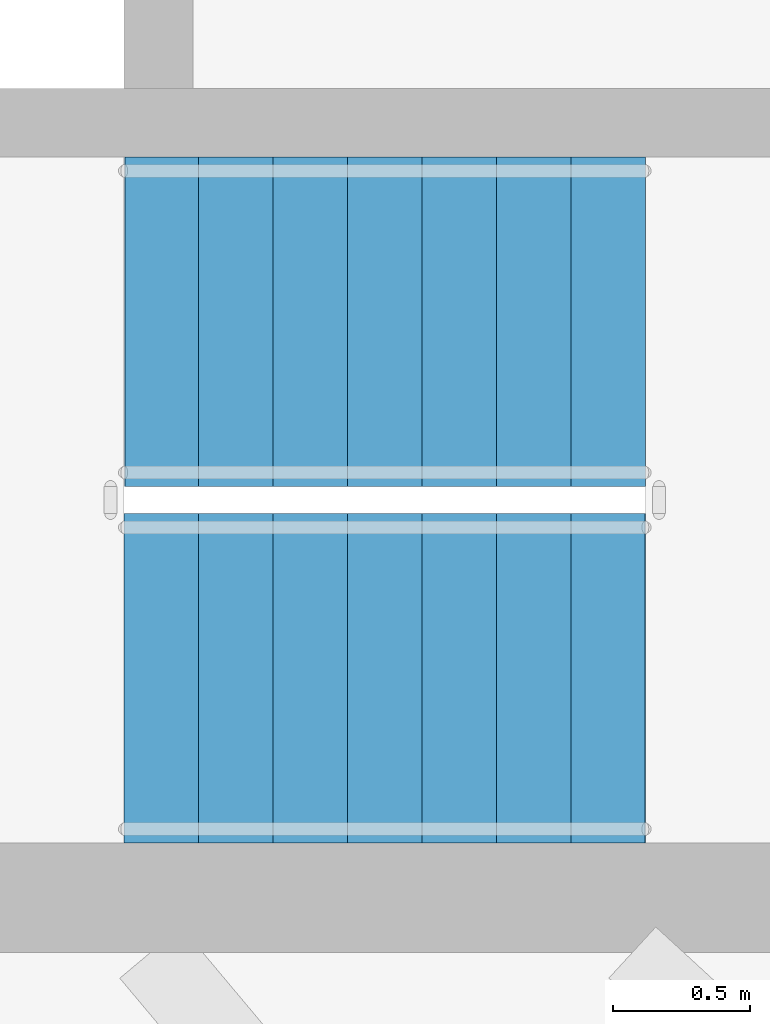
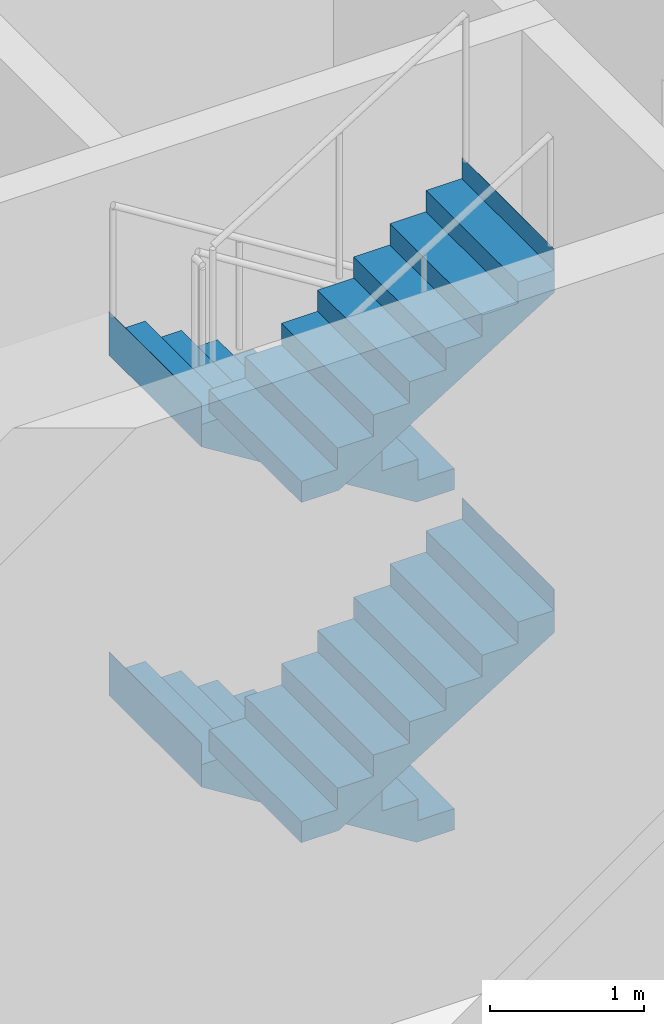
# One storey, part 10 of 16: 4 stair flights, 1 element without a shape of its own.
"""IFC4 building model written with IfcOpenShell, lengths in metres."""

from ifc_helpers import new_model, si_unit, direction, frame, origin, place, context, subcontext, project, spatial, triangles, material, type_object, element, aggregate, save


model = new_model("IFC4")

# Units and contexts
model_context = context("Model", 3, precision=1e-05, world=origin(), true_north=direction((0.0, 1.0)))
body_context = subcontext(model_context, "Body", "Model", "MODEL_VIEW")
ifc_project = project(units=[si_unit("LENGTHUNIT", "METRE"), si_unit("AREAUNIT", "SQUARE_METRE"), si_unit("VOLUMEUNIT", "CUBIC_METRE"), si_unit("PLANEANGLEUNIT", "RADIAN"), si_unit("MASSUNIT", "GRAM", prefix="KILO")], contexts=[model_context])

# Site, building, storey
site_placement = place(None, origin())
site = spatial("IfcSite", under=ifc_project, at=site_placement, CompositionType="ELEMENT")
building_placement = place(site_placement, origin())
building = spatial("IfcBuilding", under=site, at=building_placement, Name="Sahrelin Media Tower", CompositionType="ELEMENT")
storey_placement = place(building_placement, frame((0.0, 0.0, 324.39990234375)))
storey = spatial("IfcBuildingStorey", under=building, at=storey_placement, Name="L72", CompositionType="ELEMENT", Elevation=324.39990234375)

# Stair, stair flights
ifc_material = material(Name="Concrete C40/50", Category="concrete")
stair_type = type_object("IfcStairType", Name="Exit stair 1200", PredefinedType="HALF_TURN_STAIR", material=ifc_material)
stair_placement = place(storey_placement, origin())
stair = element("IfcStair", 1, at=stair_placement, inside=storey, type_object=stair_type, Name="L72 Exit stair ST2", PredefinedType="HALF_TURN_STAIR")
stair_flight_type = type_object("IfcStairFlightType", Name="Stair flight 1200", PredefinedType="STRAIGHT", material=ifc_material)
stair_flight_1_placement = place(storey_placement, frame((7.675048828125, -4.699951171875, 0.0), z_axis=(0.0, 0.0, 1.0), x_axis=(-1.0, 0.0, 0.0)))
stair_flight_1 = element("IfcStairFlight", 2, at=stair_flight_1_placement, type_object=stair_flight_type, Name="ST2 flight 1", NumberOfRisers=8, NumberOfTreads=7, PredefinedType="STRAIGHT", RiserHeight=0.16875, TreadLength=0.271428571, context=body_context, shape_type="Tessellation", body=[
    triangles([(0.283935546875, 0.60009765625, 0.0), (0.283935546875, 0.300048828125, 0.0), (0.283935546875, 0.0, 0.0), (0.283935546875, -0.300048828125, 0.0), (0.283935546875, -0.60009765625, 0.0), (1.89990234375, 0.60009765625, 1.004638671875), (1.89990234375, 0.300048828125, 1.004638671875), (1.89990234375, 0.0, 1.004638671875), (1.89990234375, -0.300048828125, 1.004638671875), (1.89990234375, -0.60009765625, 1.004638671875), (1.89990234375, 0.60009765625, 1.35009765625), (1.89990234375, 0.300048828125, 1.35009765625), (1.89990234375, 0.0, 1.35009765625), (1.89990234375, -0.300048828125, 1.35009765625), (1.89990234375, -0.60009765625, 1.35009765625), (1.89794921875, 0.60009765625, 1.35009765625), (1.89794921875, 0.300048828125, 1.35009765625), (1.89794921875, 0.0, 1.35009765625), (1.89794921875, -0.300048828125, 1.35009765625), (1.89794921875, -0.60009765625, 1.35009765625), (1.89794921875, 0.60009765625, 1.18115234375), (1.89794921875, 0.300048828125, 1.18115234375), (1.89794921875, 0.0, 1.18115234375), (1.89794921875, -0.300048828125, 1.18115234375), (1.89794921875, -0.60009765625, 1.18115234375), (1.628662109375, 0.60009765625, 1.18115234375), (1.628662109375, 0.300048828125, 1.18115234375), (1.628662109375, 0.0, 1.18115234375), (1.628662109375, -0.300048828125, 1.18115234375), (1.628662109375, -0.60009765625, 1.18115234375), (1.628662109375, 0.60009765625, 1.012451171875), (1.628662109375, 0.300048828125, 1.012451171875), (1.628662109375, 0.0, 1.012451171875), (1.628662109375, -0.300048828125, 1.012451171875), (1.628662109375, -0.60009765625, 1.012451171875), (1.357177734375, 0.60009765625, 1.012451171875), (1.357177734375, 0.300048828125, 1.012451171875), (1.357177734375, 0.0, 1.012451171875), (1.357177734375, -0.300048828125, 1.012451171875), (1.357177734375, -0.60009765625, 1.012451171875), (1.357177734375, 0.60009765625, 0.84375), (1.357177734375, 0.300048828125, 0.84375), (1.357177734375, 0.0, 0.84375), (1.357177734375, -0.300048828125, 0.84375), (1.357177734375, -0.60009765625, 0.84375), (1.085693359375, 0.60009765625, 0.84375), (1.085693359375, 0.300048828125, 0.84375), (1.085693359375, 0.0, 0.84375), (1.085693359375, -0.300048828125, 0.84375), (1.085693359375, -0.60009765625, 0.84375), (1.085693359375, 0.60009765625, 0.675048828125), (1.085693359375, 0.300048828125, 0.675048828125), (1.085693359375, 0.0, 0.675048828125), (1.085693359375, -0.300048828125, 0.675048828125), (1.085693359375, -0.60009765625, 0.675048828125), (0.814208984375, 0.60009765625, 0.675048828125), (0.814208984375, 0.300048828125, 0.675048828125), (0.814208984375, 0.0, 0.675048828125), (0.814208984375, -0.300048828125, 0.675048828125), (0.814208984375, -0.60009765625, 0.675048828125), (0.814208984375, 0.60009765625, 0.50634765625), (0.814208984375, 0.300048828125, 0.50634765625), (0.814208984375, 0.0, 0.50634765625), (0.814208984375, -0.300048828125, 0.50634765625), (0.814208984375, -0.60009765625, 0.50634765625), (0.54296875, 0.60009765625, 0.50634765625), (0.54296875, 0.300048828125, 0.50634765625), (0.54296875, 0.0, 0.50634765625), (0.54296875, -0.300048828125, 0.50634765625), (0.54296875, -0.60009765625, 0.50634765625), (0.54296875, 0.60009765625, 0.33740234375), (0.54296875, 0.300048828125, 0.33740234375), (0.54296875, 0.0, 0.33740234375), (0.54296875, -0.300048828125, 0.33740234375), (0.54296875, -0.60009765625, 0.33740234375), (0.271484375, 0.60009765625, 0.33740234375), (0.271484375, 0.300048828125, 0.33740234375), (0.271484375, 0.0, 0.33740234375), (0.271484375, -0.300048828125, 0.33740234375), (0.271484375, -0.60009765625, 0.33740234375), (0.271484375, 0.60009765625, 0.168701171875), (0.271484375, 0.300048828125, 0.168701171875), (0.271484375, 0.0, 0.168701171875), (0.271484375, -0.300048828125, 0.168701171875), (0.271484375, -0.60009765625, 0.168701171875), (0.0, 0.60009765625, 0.168701171875), (0.0, 0.300048828125, 0.168701171875), (0.0, 0.0, 0.168701171875), (0.0, -0.300048828125, 0.168701171875), (0.0, -0.60009765625, 0.168701171875), (0.0, 0.60009765625, 0.0), (0.0, 0.300048828125, 0.0), (0.0, 0.0, 0.0), (0.0, -0.300048828125, 0.0), (0.0, -0.60009765625, 0.0)], [[1, 6, 7], [1, 7, 2], [2, 7, 8], [2, 8, 3], [3, 8, 9], [3, 9, 4], [4, 9, 10], [4, 10, 5], [6, 11, 12], [6, 12, 7], [7, 12, 13], [7, 13, 8], [8, 13, 14], [8, 14, 9], [9, 14, 15], [9, 15, 10], [11, 16, 17], [11, 17, 12], [12, 17, 18], [12, 18, 13], [13, 18, 19], [13, 19, 14], [14, 19, 20], [14, 20, 15], [16, 21, 22], [16, 22, 17], [17, 22, 23], [17, 23, 18], [18, 23, 24], [18, 24, 19], [19, 24, 25], [19, 25, 20], [21, 26, 27], [21, 27, 22], [22, 27, 28], [22, 28, 23], [23, 28, 29], [23, 29, 24], [24, 29, 30], [24, 30, 25], [26, 31, 32], [26, 32, 27], [27, 32, 33], [27, 33, 28], [28, 33, 34], [28, 34, 29], [29, 34, 35], [29, 35, 30], [31, 36, 37], [31, 37, 32], [32, 37, 38], [32, 38, 33], [33, 38, 39], [33, 39, 34], [34, 39, 40], [34, 40, 35], [36, 41, 42], [36, 42, 37], [37, 42, 43], [37, 43, 38], [38, 43, 44], [38, 44, 39], [39, 44, 45], [39, 45, 40], [41, 46, 47], [41, 47, 42], [42, 47, 48], [42, 48, 43], [43, 48, 49], [43, 49, 44], [44, 49, 50], [44, 50, 45], [46, 51, 52], [46, 52, 47], [47, 52, 53], [47, 53, 48], [48, 53, 54], [48, 54, 49], [49, 54, 55], [49, 55, 50], [51, 56, 57], [51, 57, 52], [52, 57, 58], [52, 58, 53], [53, 58, 59], [53, 59, 54], [54, 59, 60], [54, 60, 55], [56, 61, 62], [56, 62, 57], [57, 62, 63], [57, 63, 58], [58, 63, 64], [58, 64, 59], [59, 64, 65], [59, 65, 60], [61, 66, 67], [61, 67, 62], [62, 67, 68], [62, 68, 63], [63, 68, 69], [63, 69, 64], [64, 69, 70], [64, 70, 65], [66, 71, 72], [66, 72, 67], [67, 72, 73], [67, 73, 68], [68, 73, 74], [68, 74, 69], [69, 74, 75], [69, 75, 70], [71, 76, 77], [71, 77, 72], [72, 77, 78], [72, 78, 73], [73, 78, 79], [73, 79, 74], [74, 79, 80], [74, 80, 75], [76, 81, 82], [76, 82, 77], [77, 82, 83], [77, 83, 78], [78, 83, 84], [78, 84, 79], [79, 84, 85], [79, 85, 80], [81, 86, 87], [81, 87, 82], [82, 87, 88], [82, 88, 83], [83, 88, 89], [83, 89, 84], [84, 89, 90], [84, 90, 85], [86, 91, 92], [86, 92, 87], [87, 92, 93], [87, 93, 88], [88, 93, 94], [88, 94, 89], [89, 94, 95], [89, 95, 90], [91, 1, 2], [91, 2, 92], [92, 2, 3], [92, 3, 93], [93, 3, 4], [93, 4, 94], [94, 4, 5], [94, 5, 95], [85, 90, 95], [81, 91, 86], [85, 75, 80], [81, 76, 71], [75, 65, 70], [71, 66, 61], [65, 55, 60], [61, 56, 51], [55, 45, 50], [51, 46, 41], [45, 35, 40], [41, 36, 31], [35, 25, 30], [31, 26, 21], [25, 15, 20], [21, 16, 11], [95, 5, 85], [91, 81, 1], [5, 55, 65], [1, 61, 51], [25, 10, 15], [21, 11, 6], [75, 85, 5], [71, 1, 81], [10, 45, 55], [6, 51, 41], [35, 10, 25], [31, 21, 6], [65, 75, 5], [61, 1, 71], [45, 10, 35], [41, 31, 6], [5, 10, 55], [1, 51, 6]], closed=True),
])
stair_flight_2_placement = place(storey_placement, frame((5.77490234375, -6.0, 1.35009765625), z_axis=(0.0, 0.0, 1.0), x_axis=(1.0, 0.0, 0.0)))
stair_flight_2 = element("IfcStairFlight", 3, at=stair_flight_2_placement, type_object=stair_flight_type, Name="ST2 flight 2", NumberOfRisers=8, NumberOfTreads=7, PredefinedType="STRAIGHT", RiserHeight=0.16875, TreadLength=0.271428571, context=body_context, shape_type="Tessellation", body=[
    triangles([(0.283935546875, 0.60009765625, 0.0), (0.283935546875, 0.300048828125, 0.0), (0.283935546875, 0.0, 0.0), (0.283935546875, -0.300048828125, 0.0), (0.283935546875, -0.60009765625, 0.0), (1.89990234375, 0.60009765625, 1.004638671875), (1.89990234375, 0.300048828125, 1.004638671875), (1.89990234375, 0.0, 1.004638671875), (1.89990234375, -0.300048828125, 1.004638671875), (1.89990234375, -0.60009765625, 1.004638671875), (1.89990234375, 0.60009765625, 1.35009765625), (1.89990234375, 0.300048828125, 1.35009765625), (1.89990234375, 0.0, 1.35009765625), (1.89990234375, -0.300048828125, 1.35009765625), (1.89990234375, -0.60009765625, 1.35009765625), (1.89794921875, 0.60009765625, 1.35009765625), (1.89794921875, 0.300048828125, 1.35009765625), (1.89794921875, 0.0, 1.35009765625), (1.89794921875, -0.300048828125, 1.35009765625), (1.89794921875, -0.60009765625, 1.35009765625), (1.89794921875, 0.60009765625, 1.18115234375), (1.89794921875, 0.300048828125, 1.18115234375), (1.89794921875, 0.0, 1.18115234375), (1.89794921875, -0.300048828125, 1.18115234375), (1.89794921875, -0.60009765625, 1.18115234375), (1.628662109375, 0.60009765625, 1.18115234375), (1.628662109375, 0.300048828125, 1.18115234375), (1.628662109375, 0.0, 1.18115234375), (1.628662109375, -0.300048828125, 1.18115234375), (1.628662109375, -0.60009765625, 1.18115234375), (1.628662109375, 0.60009765625, 1.012451171875), (1.628662109375, 0.300048828125, 1.012451171875), (1.628662109375, 0.0, 1.012451171875), (1.628662109375, -0.300048828125, 1.012451171875), (1.628662109375, -0.60009765625, 1.012451171875), (1.357177734375, 0.60009765625, 1.012451171875), (1.357177734375, 0.300048828125, 1.012451171875), (1.357177734375, 0.0, 1.012451171875), (1.357177734375, -0.300048828125, 1.012451171875), (1.357177734375, -0.60009765625, 1.012451171875), (1.357177734375, 0.60009765625, 0.84375), (1.357177734375, 0.300048828125, 0.84375), (1.357177734375, 0.0, 0.84375), (1.357177734375, -0.300048828125, 0.84375), (1.357177734375, -0.60009765625, 0.84375), (1.085693359375, 0.60009765625, 0.84375), (1.085693359375, 0.300048828125, 0.84375), (1.085693359375, 0.0, 0.84375), (1.085693359375, -0.300048828125, 0.84375), (1.085693359375, -0.60009765625, 0.84375), (1.085693359375, 0.60009765625, 0.675048828125), (1.085693359375, 0.300048828125, 0.675048828125), (1.085693359375, 0.0, 0.675048828125), (1.085693359375, -0.300048828125, 0.675048828125), (1.085693359375, -0.60009765625, 0.675048828125), (0.814208984375, 0.60009765625, 0.675048828125), (0.814208984375, 0.300048828125, 0.675048828125), (0.814208984375, 0.0, 0.675048828125), (0.814208984375, -0.300048828125, 0.675048828125), (0.814208984375, -0.60009765625, 0.675048828125), (0.814208984375, 0.60009765625, 0.50634765625), (0.814208984375, 0.300048828125, 0.50634765625), (0.814208984375, 0.0, 0.50634765625), (0.814208984375, -0.300048828125, 0.50634765625), (0.814208984375, -0.60009765625, 0.50634765625), (0.54296875, 0.60009765625, 0.50634765625), (0.54296875, 0.300048828125, 0.50634765625), (0.54296875, 0.0, 0.50634765625), (0.54296875, -0.300048828125, 0.50634765625), (0.54296875, -0.60009765625, 0.50634765625), (0.54296875, 0.60009765625, 0.33740234375), (0.54296875, 0.300048828125, 0.33740234375), (0.54296875, 0.0, 0.33740234375), (0.54296875, -0.300048828125, 0.33740234375), (0.54296875, -0.60009765625, 0.33740234375), (0.271484375, 0.60009765625, 0.33740234375), (0.271484375, 0.300048828125, 0.33740234375), (0.271484375, 0.0, 0.33740234375), (0.271484375, -0.300048828125, 0.33740234375), (0.271484375, -0.60009765625, 0.33740234375), (0.271484375, 0.60009765625, 0.168701171875), (0.271484375, 0.300048828125, 0.168701171875), (0.271484375, 0.0, 0.168701171875), (0.271484375, -0.300048828125, 0.168701171875), (0.271484375, -0.60009765625, 0.168701171875), (0.0, 0.60009765625, 0.168701171875), (0.0, 0.300048828125, 0.168701171875), (0.0, 0.0, 0.168701171875), (0.0, -0.300048828125, 0.168701171875), (0.0, -0.60009765625, 0.168701171875), (0.0, 0.60009765625, 0.0), (0.0, 0.300048828125, 0.0), (0.0, 0.0, 0.0), (0.0, -0.300048828125, 0.0), (0.0, -0.60009765625, 0.0)], [[1, 6, 7], [1, 7, 2], [2, 7, 8], [2, 8, 3], [3, 8, 9], [3, 9, 4], [4, 9, 10], [4, 10, 5], [6, 11, 12], [6, 12, 7], [7, 12, 13], [7, 13, 8], [8, 13, 14], [8, 14, 9], [9, 14, 15], [9, 15, 10], [11, 16, 17], [11, 17, 12], [12, 17, 18], [12, 18, 13], [13, 18, 19], [13, 19, 14], [14, 19, 20], [14, 20, 15], [16, 21, 22], [16, 22, 17], [17, 22, 23], [17, 23, 18], [18, 23, 24], [18, 24, 19], [19, 24, 25], [19, 25, 20], [21, 26, 27], [21, 27, 22], [22, 27, 28], [22, 28, 23], [23, 28, 29], [23, 29, 24], [24, 29, 30], [24, 30, 25], [26, 31, 32], [26, 32, 27], [27, 32, 33], [27, 33, 28], [28, 33, 34], [28, 34, 29], [29, 34, 35], [29, 35, 30], [31, 36, 37], [31, 37, 32], [32, 37, 38], [32, 38, 33], [33, 38, 39], [33, 39, 34], [34, 39, 40], [34, 40, 35], [36, 41, 42], [36, 42, 37], [37, 42, 43], [37, 43, 38], [38, 43, 44], [38, 44, 39], [39, 44, 45], [39, 45, 40], [41, 46, 47], [41, 47, 42], [42, 47, 48], [42, 48, 43], [43, 48, 49], [43, 49, 44], [44, 49, 50], [44, 50, 45], [46, 51, 52], [46, 52, 47], [47, 52, 53], [47, 53, 48], [48, 53, 54], [48, 54, 49], [49, 54, 55], [49, 55, 50], [51, 56, 57], [51, 57, 52], [52, 57, 58], [52, 58, 53], [53, 58, 59], [53, 59, 54], [54, 59, 60], [54, 60, 55], [56, 61, 62], [56, 62, 57], [57, 62, 63], [57, 63, 58], [58, 63, 64], [58, 64, 59], [59, 64, 65], [59, 65, 60], [61, 66, 67], [61, 67, 62], [62, 67, 68], [62, 68, 63], [63, 68, 69], [63, 69, 64], [64, 69, 70], [64, 70, 65], [66, 71, 72], [66, 72, 67], [67, 72, 73], [67, 73, 68], [68, 73, 74], [68, 74, 69], [69, 74, 75], [69, 75, 70], [71, 76, 77], [71, 77, 72], [72, 77, 78], [72, 78, 73], [73, 78, 79], [73, 79, 74], [74, 79, 80], [74, 80, 75], [76, 81, 82], [76, 82, 77], [77, 82, 83], [77, 83, 78], [78, 83, 84], [78, 84, 79], [79, 84, 85], [79, 85, 80], [81, 86, 87], [81, 87, 82], [82, 87, 88], [82, 88, 83], [83, 88, 89], [83, 89, 84], [84, 89, 90], [84, 90, 85], [86, 91, 92], [86, 92, 87], [87, 92, 93], [87, 93, 88], [88, 93, 94], [88, 94, 89], [89, 94, 95], [89, 95, 90], [91, 1, 2], [91, 2, 92], [92, 2, 3], [92, 3, 93], [93, 3, 4], [93, 4, 94], [94, 4, 5], [94, 5, 95], [85, 90, 95], [81, 91, 86], [85, 75, 80], [81, 76, 71], [75, 65, 70], [71, 66, 61], [65, 55, 60], [61, 56, 51], [55, 45, 50], [51, 46, 41], [45, 35, 40], [41, 36, 31], [35, 25, 30], [31, 26, 21], [25, 15, 20], [21, 16, 11], [95, 5, 85], [91, 81, 1], [5, 55, 65], [1, 61, 51], [25, 10, 15], [21, 11, 6], [75, 85, 5], [71, 1, 81], [10, 45, 55], [6, 51, 41], [35, 10, 25], [31, 21, 6], [65, 75, 5], [61, 1, 71], [45, 10, 35], [41, 31, 6], [5, 10, 55], [1, 51, 6]], closed=True),
])
stair_flight_3_placement = place(storey_placement, frame((7.675048828125, -4.699951171875, 2.7001953125), z_axis=(0.0, 0.0, 1.0), x_axis=(-1.0, 0.0, 0.0)))
stair_flight_3 = element("IfcStairFlight", 4, at=stair_flight_3_placement, type_object=stair_flight_type, Name="ST2 flight 3", NumberOfRisers=8, NumberOfTreads=7, PredefinedType="STRAIGHT", RiserHeight=0.16875, TreadLength=0.271428571, context=body_context, shape_type="Tessellation", body=[
    triangles([(0.283935546875, 0.60009765625, 0.0), (0.283935546875, 0.300048828125, 0.0), (0.283935546875, 0.0, 0.0), (0.283935546875, -0.300048828125, 0.0), (0.283935546875, -0.60009765625, 0.0), (1.89990234375, 0.60009765625, 1.004638671875), (1.89990234375, 0.300048828125, 1.004638671875), (1.89990234375, 0.0, 1.004638671875), (1.89990234375, -0.300048828125, 1.004638671875), (1.89990234375, -0.60009765625, 1.004638671875), (1.89990234375, 0.60009765625, 1.35009765625), (1.89990234375, 0.300048828125, 1.35009765625), (1.89990234375, 0.0, 1.35009765625), (1.89990234375, -0.300048828125, 1.35009765625), (1.89990234375, -0.60009765625, 1.35009765625), (1.89794921875, 0.60009765625, 1.35009765625), (1.89794921875, 0.300048828125, 1.35009765625), (1.89794921875, 0.0, 1.35009765625), (1.89794921875, -0.300048828125, 1.35009765625), (1.89794921875, -0.60009765625, 1.35009765625), (1.89794921875, 0.60009765625, 1.18115234375), (1.89794921875, 0.300048828125, 1.18115234375), (1.89794921875, 0.0, 1.18115234375), (1.89794921875, -0.300048828125, 1.18115234375), (1.89794921875, -0.60009765625, 1.18115234375), (1.628662109375, 0.60009765625, 1.18115234375), (1.628662109375, 0.300048828125, 1.18115234375), (1.628662109375, 0.0, 1.18115234375), (1.628662109375, -0.300048828125, 1.18115234375), (1.628662109375, -0.60009765625, 1.18115234375), (1.628662109375, 0.60009765625, 1.012451171875), (1.628662109375, 0.300048828125, 1.012451171875), (1.628662109375, 0.0, 1.012451171875), (1.628662109375, -0.300048828125, 1.012451171875), (1.628662109375, -0.60009765625, 1.012451171875), (1.357177734375, 0.60009765625, 1.012451171875), (1.357177734375, 0.300048828125, 1.012451171875), (1.357177734375, 0.0, 1.012451171875), (1.357177734375, -0.300048828125, 1.012451171875), (1.357177734375, -0.60009765625, 1.012451171875), (1.357177734375, 0.60009765625, 0.84375), (1.357177734375, 0.300048828125, 0.84375), (1.357177734375, 0.0, 0.84375), (1.357177734375, -0.300048828125, 0.84375), (1.357177734375, -0.60009765625, 0.84375), (1.085693359375, 0.60009765625, 0.84375), (1.085693359375, 0.300048828125, 0.84375), (1.085693359375, 0.0, 0.84375), (1.085693359375, -0.300048828125, 0.84375), (1.085693359375, -0.60009765625, 0.84375), (1.085693359375, 0.60009765625, 0.675048828125), (1.085693359375, 0.300048828125, 0.675048828125), (1.085693359375, 0.0, 0.675048828125), (1.085693359375, -0.300048828125, 0.675048828125), (1.085693359375, -0.60009765625, 0.675048828125), (0.814208984375, 0.60009765625, 0.675048828125), (0.814208984375, 0.300048828125, 0.675048828125), (0.814208984375, 0.0, 0.675048828125), (0.814208984375, -0.300048828125, 0.675048828125), (0.814208984375, -0.60009765625, 0.675048828125), (0.814208984375, 0.60009765625, 0.50634765625), (0.814208984375, 0.300048828125, 0.50634765625), (0.814208984375, 0.0, 0.50634765625), (0.814208984375, -0.300048828125, 0.50634765625), (0.814208984375, -0.60009765625, 0.50634765625), (0.54296875, 0.60009765625, 0.50634765625), (0.54296875, 0.300048828125, 0.50634765625), (0.54296875, 0.0, 0.50634765625), (0.54296875, -0.300048828125, 0.50634765625), (0.54296875, -0.60009765625, 0.50634765625), (0.54296875, 0.60009765625, 0.33740234375), (0.54296875, 0.300048828125, 0.33740234375), (0.54296875, 0.0, 0.33740234375), (0.54296875, -0.300048828125, 0.33740234375), (0.54296875, -0.60009765625, 0.33740234375), (0.271484375, 0.60009765625, 0.33740234375), (0.271484375, 0.300048828125, 0.33740234375), (0.271484375, 0.0, 0.33740234375), (0.271484375, -0.300048828125, 0.33740234375), (0.271484375, -0.60009765625, 0.33740234375), (0.271484375, 0.60009765625, 0.168701171875), (0.271484375, 0.300048828125, 0.168701171875), (0.271484375, 0.0, 0.168701171875), (0.271484375, -0.300048828125, 0.168701171875), (0.271484375, -0.60009765625, 0.168701171875), (0.0, 0.60009765625, 0.168701171875), (0.0, 0.300048828125, 0.168701171875), (0.0, 0.0, 0.168701171875), (0.0, -0.300048828125, 0.168701171875), (0.0, -0.60009765625, 0.168701171875), (0.0, 0.60009765625, 0.0), (0.0, 0.300048828125, 0.0), (0.0, 0.0, 0.0), (0.0, -0.300048828125, 0.0), (0.0, -0.60009765625, 0.0)], [[1, 6, 7], [1, 7, 2], [2, 7, 8], [2, 8, 3], [3, 8, 9], [3, 9, 4], [4, 9, 10], [4, 10, 5], [6, 11, 12], [6, 12, 7], [7, 12, 13], [7, 13, 8], [8, 13, 14], [8, 14, 9], [9, 14, 15], [9, 15, 10], [11, 16, 17], [11, 17, 12], [12, 17, 18], [12, 18, 13], [13, 18, 19], [13, 19, 14], [14, 19, 20], [14, 20, 15], [16, 21, 22], [16, 22, 17], [17, 22, 23], [17, 23, 18], [18, 23, 24], [18, 24, 19], [19, 24, 25], [19, 25, 20], [21, 26, 27], [21, 27, 22], [22, 27, 28], [22, 28, 23], [23, 28, 29], [23, 29, 24], [24, 29, 30], [24, 30, 25], [26, 31, 32], [26, 32, 27], [27, 32, 33], [27, 33, 28], [28, 33, 34], [28, 34, 29], [29, 34, 35], [29, 35, 30], [31, 36, 37], [31, 37, 32], [32, 37, 38], [32, 38, 33], [33, 38, 39], [33, 39, 34], [34, 39, 40], [34, 40, 35], [36, 41, 42], [36, 42, 37], [37, 42, 43], [37, 43, 38], [38, 43, 44], [38, 44, 39], [39, 44, 45], [39, 45, 40], [41, 46, 47], [41, 47, 42], [42, 47, 48], [42, 48, 43], [43, 48, 49], [43, 49, 44], [44, 49, 50], [44, 50, 45], [46, 51, 52], [46, 52, 47], [47, 52, 53], [47, 53, 48], [48, 53, 54], [48, 54, 49], [49, 54, 55], [49, 55, 50], [51, 56, 57], [51, 57, 52], [52, 57, 58], [52, 58, 53], [53, 58, 59], [53, 59, 54], [54, 59, 60], [54, 60, 55], [56, 61, 62], [56, 62, 57], [57, 62, 63], [57, 63, 58], [58, 63, 64], [58, 64, 59], [59, 64, 65], [59, 65, 60], [61, 66, 67], [61, 67, 62], [62, 67, 68], [62, 68, 63], [63, 68, 69], [63, 69, 64], [64, 69, 70], [64, 70, 65], [66, 71, 72], [66, 72, 67], [67, 72, 73], [67, 73, 68], [68, 73, 74], [68, 74, 69], [69, 74, 75], [69, 75, 70], [71, 76, 77], [71, 77, 72], [72, 77, 78], [72, 78, 73], [73, 78, 79], [73, 79, 74], [74, 79, 80], [74, 80, 75], [76, 81, 82], [76, 82, 77], [77, 82, 83], [77, 83, 78], [78, 83, 84], [78, 84, 79], [79, 84, 85], [79, 85, 80], [81, 86, 87], [81, 87, 82], [82, 87, 88], [82, 88, 83], [83, 88, 89], [83, 89, 84], [84, 89, 90], [84, 90, 85], [86, 91, 92], [86, 92, 87], [87, 92, 93], [87, 93, 88], [88, 93, 94], [88, 94, 89], [89, 94, 95], [89, 95, 90], [91, 1, 2], [91, 2, 92], [92, 2, 3], [92, 3, 93], [93, 3, 4], [93, 4, 94], [94, 4, 5], [94, 5, 95], [85, 90, 95], [81, 91, 86], [85, 75, 80], [81, 76, 71], [75, 65, 70], [71, 66, 61], [65, 55, 60], [61, 56, 51], [55, 45, 50], [51, 46, 41], [45, 35, 40], [41, 36, 31], [35, 25, 30], [31, 26, 21], [25, 15, 20], [21, 16, 11], [95, 5, 85], [91, 81, 1], [5, 55, 65], [1, 61, 51], [25, 10, 15], [21, 11, 6], [75, 85, 5], [71, 1, 81], [10, 45, 55], [6, 51, 41], [35, 10, 25], [31, 21, 6], [65, 75, 5], [61, 1, 71], [45, 10, 35], [41, 31, 6], [5, 10, 55], [1, 51, 6]], closed=True),
])
stair_flight_4_placement = place(storey_placement, frame((5.77490234375, -6.0, 4.050048828125), z_axis=(0.0, 0.0, 1.0), x_axis=(1.0, 0.0, 0.0)))
stair_flight_4 = element("IfcStairFlight", 5, at=stair_flight_4_placement, type_object=stair_flight_type, Name="ST2 flight 4", NumberOfRisers=8, NumberOfTreads=7, PredefinedType="STRAIGHT", RiserHeight=0.16875, TreadLength=0.271428571, context=body_context, shape_type="Tessellation", body=[
    triangles([(0.283935546875, 0.60009765625, 0.0), (0.283935546875, 0.300048828125, 0.0), (0.283935546875, 0.0, 0.0), (0.283935546875, -0.300048828125, 0.0), (0.283935546875, -0.60009765625, 0.0), (1.89990234375, 0.60009765625, 1.004638671875), (1.89990234375, 0.300048828125, 1.004638671875), (1.89990234375, 0.0, 1.004638671875), (1.89990234375, -0.300048828125, 1.004638671875), (1.89990234375, -0.60009765625, 1.004638671875), (1.89990234375, 0.60009765625, 1.35009765625), (1.89990234375, 0.300048828125, 1.35009765625), (1.89990234375, 0.0, 1.35009765625), (1.89990234375, -0.300048828125, 1.35009765625), (1.89990234375, -0.60009765625, 1.35009765625), (1.89794921875, 0.60009765625, 1.35009765625), (1.89794921875, 0.300048828125, 1.35009765625), (1.89794921875, 0.0, 1.35009765625), (1.89794921875, -0.300048828125, 1.35009765625), (1.89794921875, -0.60009765625, 1.35009765625), (1.89794921875, 0.60009765625, 1.18115234375), (1.89794921875, 0.300048828125, 1.18115234375), (1.89794921875, 0.0, 1.18115234375), (1.89794921875, -0.300048828125, 1.18115234375), (1.89794921875, -0.60009765625, 1.18115234375), (1.628662109375, 0.60009765625, 1.18115234375), (1.628662109375, 0.300048828125, 1.18115234375), (1.628662109375, 0.0, 1.18115234375), (1.628662109375, -0.300048828125, 1.18115234375), (1.628662109375, -0.60009765625, 1.18115234375), (1.628662109375, 0.60009765625, 1.012451171875), (1.628662109375, 0.300048828125, 1.012451171875), (1.628662109375, 0.0, 1.012451171875), (1.628662109375, -0.300048828125, 1.012451171875), (1.628662109375, -0.60009765625, 1.012451171875), (1.357177734375, 0.60009765625, 1.012451171875), (1.357177734375, 0.300048828125, 1.012451171875), (1.357177734375, 0.0, 1.012451171875), (1.357177734375, -0.300048828125, 1.012451171875), (1.357177734375, -0.60009765625, 1.012451171875), (1.357177734375, 0.60009765625, 0.84375), (1.357177734375, 0.300048828125, 0.84375), (1.357177734375, 0.0, 0.84375), (1.357177734375, -0.300048828125, 0.84375), (1.357177734375, -0.60009765625, 0.84375), (1.085693359375, 0.60009765625, 0.84375), (1.085693359375, 0.300048828125, 0.84375), (1.085693359375, 0.0, 0.84375), (1.085693359375, -0.300048828125, 0.84375), (1.085693359375, -0.60009765625, 0.84375), (1.085693359375, 0.60009765625, 0.675048828125), (1.085693359375, 0.300048828125, 0.675048828125), (1.085693359375, 0.0, 0.675048828125), (1.085693359375, -0.300048828125, 0.675048828125), (1.085693359375, -0.60009765625, 0.675048828125), (0.814208984375, 0.60009765625, 0.675048828125), (0.814208984375, 0.300048828125, 0.675048828125), (0.814208984375, 0.0, 0.675048828125), (0.814208984375, -0.300048828125, 0.675048828125), (0.814208984375, -0.60009765625, 0.675048828125), (0.814208984375, 0.60009765625, 0.50634765625), (0.814208984375, 0.300048828125, 0.50634765625), (0.814208984375, 0.0, 0.50634765625), (0.814208984375, -0.300048828125, 0.50634765625), (0.814208984375, -0.60009765625, 0.50634765625), (0.54296875, 0.60009765625, 0.50634765625), (0.54296875, 0.300048828125, 0.50634765625), (0.54296875, 0.0, 0.50634765625), (0.54296875, -0.300048828125, 0.50634765625), (0.54296875, -0.60009765625, 0.50634765625), (0.54296875, 0.60009765625, 0.33740234375), (0.54296875, 0.300048828125, 0.33740234375), (0.54296875, 0.0, 0.33740234375), (0.54296875, -0.300048828125, 0.33740234375), (0.54296875, -0.60009765625, 0.33740234375), (0.271484375, 0.60009765625, 0.33740234375), (0.271484375, 0.300048828125, 0.33740234375), (0.271484375, 0.0, 0.33740234375), (0.271484375, -0.300048828125, 0.33740234375), (0.271484375, -0.60009765625, 0.33740234375), (0.271484375, 0.60009765625, 0.168701171875), (0.271484375, 0.300048828125, 0.168701171875), (0.271484375, 0.0, 0.168701171875), (0.271484375, -0.300048828125, 0.168701171875), (0.271484375, -0.60009765625, 0.168701171875), (0.0, 0.60009765625, 0.168701171875), (0.0, 0.300048828125, 0.168701171875), (0.0, 0.0, 0.168701171875), (0.0, -0.300048828125, 0.168701171875), (0.0, -0.60009765625, 0.168701171875), (0.0, 0.60009765625, 0.0), (0.0, 0.300048828125, 0.0), (0.0, 0.0, 0.0), (0.0, -0.300048828125, 0.0), (0.0, -0.60009765625, 0.0)], [[1, 6, 7], [1, 7, 2], [2, 7, 8], [2, 8, 3], [3, 8, 9], [3, 9, 4], [4, 9, 10], [4, 10, 5], [6, 11, 12], [6, 12, 7], [7, 12, 13], [7, 13, 8], [8, 13, 14], [8, 14, 9], [9, 14, 15], [9, 15, 10], [11, 16, 17], [11, 17, 12], [12, 17, 18], [12, 18, 13], [13, 18, 19], [13, 19, 14], [14, 19, 20], [14, 20, 15], [16, 21, 22], [16, 22, 17], [17, 22, 23], [17, 23, 18], [18, 23, 24], [18, 24, 19], [19, 24, 25], [19, 25, 20], [21, 26, 27], [21, 27, 22], [22, 27, 28], [22, 28, 23], [23, 28, 29], [23, 29, 24], [24, 29, 30], [24, 30, 25], [26, 31, 32], [26, 32, 27], [27, 32, 33], [27, 33, 28], [28, 33, 34], [28, 34, 29], [29, 34, 35], [29, 35, 30], [31, 36, 37], [31, 37, 32], [32, 37, 38], [32, 38, 33], [33, 38, 39], [33, 39, 34], [34, 39, 40], [34, 40, 35], [36, 41, 42], [36, 42, 37], [37, 42, 43], [37, 43, 38], [38, 43, 44], [38, 44, 39], [39, 44, 45], [39, 45, 40], [41, 46, 47], [41, 47, 42], [42, 47, 48], [42, 48, 43], [43, 48, 49], [43, 49, 44], [44, 49, 50], [44, 50, 45], [46, 51, 52], [46, 52, 47], [47, 52, 53], [47, 53, 48], [48, 53, 54], [48, 54, 49], [49, 54, 55], [49, 55, 50], [51, 56, 57], [51, 57, 52], [52, 57, 58], [52, 58, 53], [53, 58, 59], [53, 59, 54], [54, 59, 60], [54, 60, 55], [56, 61, 62], [56, 62, 57], [57, 62, 63], [57, 63, 58], [58, 63, 64], [58, 64, 59], [59, 64, 65], [59, 65, 60], [61, 66, 67], [61, 67, 62], [62, 67, 68], [62, 68, 63], [63, 68, 69], [63, 69, 64], [64, 69, 70], [64, 70, 65], [66, 71, 72], [66, 72, 67], [67, 72, 73], [67, 73, 68], [68, 73, 74], [68, 74, 69], [69, 74, 75], [69, 75, 70], [71, 76, 77], [71, 77, 72], [72, 77, 78], [72, 78, 73], [73, 78, 79], [73, 79, 74], [74, 79, 80], [74, 80, 75], [76, 81, 82], [76, 82, 77], [77, 82, 83], [77, 83, 78], [78, 83, 84], [78, 84, 79], [79, 84, 85], [79, 85, 80], [81, 86, 87], [81, 87, 82], [82, 87, 88], [82, 88, 83], [83, 88, 89], [83, 89, 84], [84, 89, 90], [84, 90, 85], [86, 91, 92], [86, 92, 87], [87, 92, 93], [87, 93, 88], [88, 93, 94], [88, 94, 89], [89, 94, 95], [89, 95, 90], [91, 1, 2], [91, 2, 92], [92, 2, 3], [92, 3, 93], [93, 3, 4], [93, 4, 94], [94, 4, 5], [94, 5, 95], [85, 90, 95], [81, 91, 86], [85, 75, 80], [81, 76, 71], [75, 65, 70], [71, 66, 61], [65, 55, 60], [61, 56, 51], [55, 45, 50], [51, 46, 41], [45, 35, 40], [41, 36, 31], [35, 25, 30], [31, 26, 21], [25, 15, 20], [21, 16, 11], [95, 5, 85], [91, 81, 1], [5, 55, 65], [1, 61, 51], [25, 10, 15], [21, 11, 6], [75, 85, 5], [71, 1, 81], [10, 45, 55], [6, 51, 41], [35, 10, 25], [31, 21, 6], [65, 75, 5], [61, 1, 71], [45, 10, 35], [41, 31, 6], [5, 10, 55], [1, 51, 6]], closed=True),
])
aggregate(stair, [stair_flight_1, stair_flight_2, stair_flight_3, stair_flight_4])

save(model, "model.ifc")
